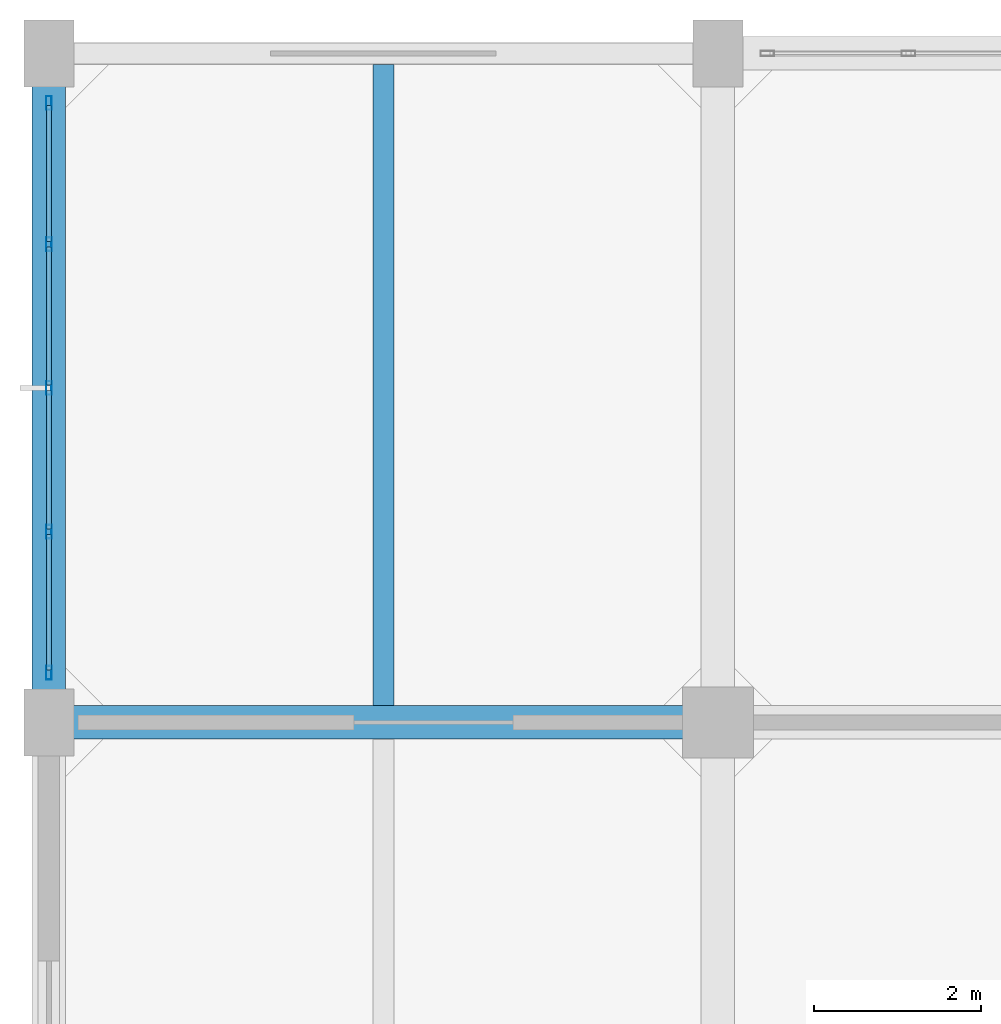
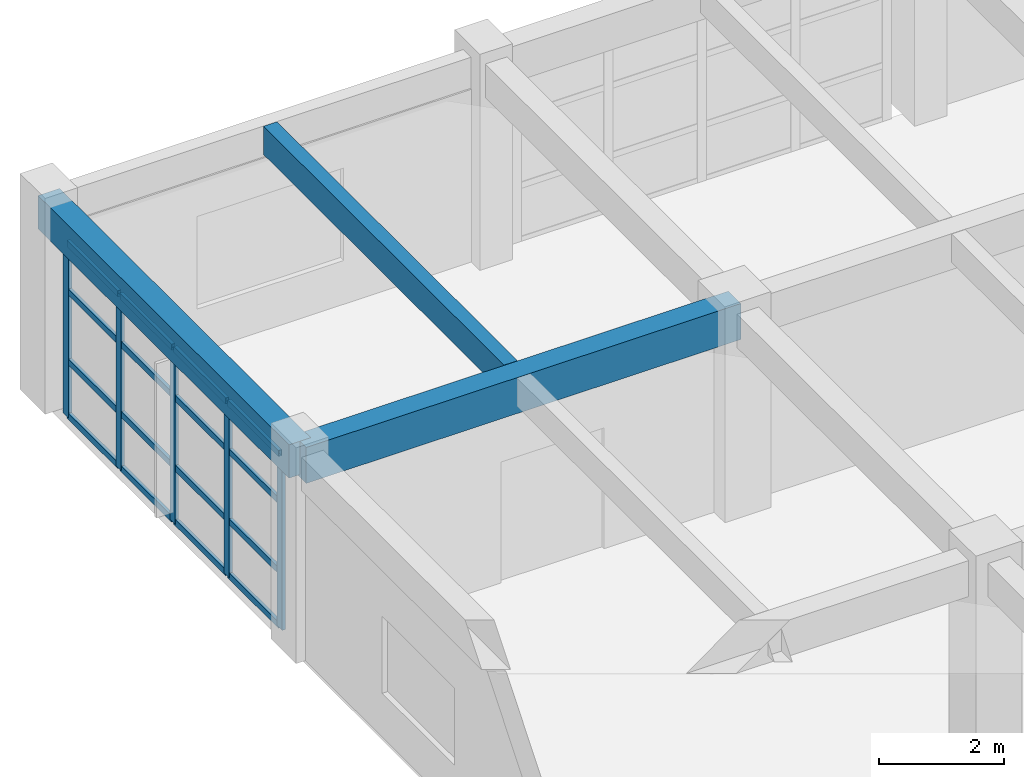
# One storey, part 13 of 27: 21 members, 3 beams, 1 element without a shape of its own.
"""IFC4 building model written with IfcOpenShell, lengths in metres."""

import ifcopenshell
import ifcopenshell.guid

model = None  # the IFC model being written
_history = None  # IfcOwnerHistory: only IFC2X3 demands one
_inside = {}  # id of a spatial element -> (the spatial element, [elements in it])
_under = {}  # id of a project, library or spatial element -> (it, [spatial elements below it])
_declared = {}  # id of a project -> (the project, [libraries it declares])
_typed = {}  # id of a type object -> (the type object, [elements of that type])
_made_of = {}  # id of a material, layer set ... -> (it, [elements and type objects made of it])


def new_model(schema):
    """Start an empty IFC model of exactly this schema.

    Asked for "IFC4X3", IfcOpenShell would pick the latest addendum, in which some entities
    have other attributes; the version numbers below select the first issue.
    IFC2X3 requires an IfcOwnerHistory on every rooted entity: one is made here for all.
    """
    global model, _history
    if schema == "IFC4X3":
        model = ifcopenshell.file(schema_version=(4, 3, 0, 0))
    else:
        model = ifcopenshell.file(schema=schema)
    _inside.clear()
    _under.clear()
    _declared.clear()
    _typed.clear()
    _made_of.clear()
    _history = None
    if model.schema == "IFC2X3":
        org = make("IfcOrganization", Name="unknown")
        user = make(
            "IfcPersonAndOrganization",
            ThePerson=make("IfcPerson", FamilyName="unknown"),
            TheOrganization=org,
        )
        app = make(
            "IfcApplication",
            ApplicationDeveloper=org,
            Version="unknown",
            ApplicationFullName="unknown",
            ApplicationIdentifier="unknown",
        )
        _history = make(
            "IfcOwnerHistory",
            OwningUser=user,
            OwningApplication=app,
            ChangeAction="ADDED",
            CreationDate=0,
        )
    return model


def make(cls, **values):
    """One entity of the class cls with the attributes given. An attribute that is None is left unset."""
    return model.create_entity(
        cls, **{name: value for name, value in values.items() if value is not None}
    )


def rooted(cls, **values):
    """An entity with a GlobalId (a new one), such as an element, a storey or a relation."""
    return make(cls, GlobalId=ifcopenshell.guid.new(), OwnerHistory=_history, **values)


def si_unit(unit_type, name, prefix=None):
    """IfcSIUnit, for example si_unit("LENGTHUNIT", "METRE", prefix="MILLI")."""
    return make("IfcSIUnit", UnitType=unit_type, Prefix=prefix, Name=name)


def assignment(units):
    """IfcUnitAssignment: the units of a project."""
    return None if units is None else make("IfcUnitAssignment", Units=units)


def point(xyz):
    """IfcCartesianPoint."""
    return None if xyz is None else make("IfcCartesianPoint", Coordinates=xyz)


def direction(xyz):
    """IfcDirection."""
    return None if xyz is None else make("IfcDirection", DirectionRatios=xyz)


def frame(location, z_axis=None, x_axis=None):
    """IfcAxis2Placement3D, a coordinate frame: its origin and axes. An axis left out is left unset."""
    return make(
        "IfcAxis2Placement3D",
        Location=point(location),
        Axis=direction(z_axis),
        RefDirection=direction(x_axis),
    )


def frame_2d(location, x_axis=None):
    """IfcAxis2Placement2D, a coordinate frame in the plane: its origin and x axis."""
    return make(
        "IfcAxis2Placement2D", Location=point(location), RefDirection=direction(x_axis)
    )


def origin():
    """The frame at (0, 0, 0) with its axes left unset."""
    return frame((0.0, 0.0, 0.0))


def origin_2d():
    """The frame at (0, 0) in the plane with its x axis left unset."""
    return frame_2d((0.0, 0.0))


def place(relative_to, where):
    """IfcLocalPlacement: puts the frame where relative to a parent placement (None: the world)."""
    return make(
        "IfcLocalPlacement", PlacementRelTo=relative_to, RelativePlacement=where
    )


def context(
    kind, dimensions, precision=None, world=None, true_north=None, identifier=None
):
    """IfcGeometricRepresentationContext, for example the 3D "Model" context."""
    return make(
        "IfcGeometricRepresentationContext",
        ContextIdentifier=identifier,
        ContextType=kind,
        CoordinateSpaceDimension=dimensions,
        Precision=precision,
        WorldCoordinateSystem=world,
        TrueNorth=true_north,
    )


def subcontext(parent, identifier, kind, view, scale=None):
    """IfcGeometricRepresentationSubContext, for example "Body" below "Model"."""
    return make(
        "IfcGeometricRepresentationSubContext",
        ContextIdentifier=identifier,
        ContextType=kind,
        ParentContext=parent,
        TargetScale=scale,
        TargetView=view,
    )


def project(units=None, contexts=None):
    """IfcProject with its units and contexts."""
    return rooted(
        "IfcProject",
        Name="project",
        RepresentationContexts=contexts,
        UnitsInContext=assignment(units),
    )


def spatial(cls, under=None, at=None, **own):
    """A site, building, storey or space (cls), placed at a placement, below another one or the project."""
    s = rooted(cls, ObjectPlacement=at, **own)
    if under is not None:
        _under.setdefault(under.id(), (under, []))[1].append(s)
    return s


def profile(cls, at=None, kind="AREA", **sizes):
    """A parametric profile (cls). Its sizes go by their IFC names, for example OverallWidth=200.0."""
    return make(cls, ProfileType=kind, Position=at, **sizes)


def rectangle(**sizes):
    """IfcRectangleProfileDef."""
    return profile("IfcRectangleProfileDef", **sizes)


def hollow_rectangle(**sizes):
    """IfcRectangleHollowProfileDef."""
    return profile("IfcRectangleHollowProfileDef", **sizes)


def extrude(swept, where, along, depth):
    """IfcExtrudedAreaSolid: the profile swept, set in the frame where, extruded along a direction by depth."""
    return make(
        "IfcExtrudedAreaSolid",
        SweptArea=swept,
        Position=where,
        ExtrudedDirection=direction(along),
        Depth=depth,
    )


def shape(context_of_items, identifier, shape_type, items):
    """IfcShapeRepresentation: the items that make up one representation, for example the "Body"."""
    return make(
        "IfcShapeRepresentation",
        ContextOfItems=context_of_items,
        RepresentationIdentifier=identifier,
        RepresentationType=shape_type,
        Items=items,
    )


def material(Name=None, Category=None):
    """IfcMaterial."""
    return make("IfcMaterial", Name=Name, Category=Category)


def layer(
    of_material, thickness, ventilated=None, Name=None, Category=None, Priority=None
):
    """IfcMaterialLayer: one layer of a wall or slab, of a material (None: an air gap)."""
    return make(
        "IfcMaterialLayer",
        Material=of_material,
        LayerThickness=thickness,
        IsVentilated=ventilated,
        Name=Name,
        Category=Category,
        Priority=Priority,
    )


def layer_set(layers, Name=None):
    """IfcMaterialLayerSet."""
    return make("IfcMaterialLayerSet", MaterialLayers=layers, LayerSetName=Name)


def material_profile(
    of_material, cross_section, Name=None, Category=None, Priority=None
):
    """IfcMaterialProfile: a cross section and its material."""
    return make(
        "IfcMaterialProfile",
        Name=Name,
        Material=of_material,
        Profile=cross_section,
        Priority=Priority,
        Category=Category,
    )


def profile_set(profiles, Name=None, composite=None):
    """IfcMaterialProfileSet."""
    return make(
        "IfcMaterialProfileSet",
        Name=Name,
        MaterialProfiles=profiles,
        CompositeProfile=composite,
    )


def made_of(thing, what):
    """Note that an element or type object is made of a material, layer set ...; save() writes the relation."""
    if what is not None:
        _made_of.setdefault(what.id(), (what, []))[1].append(thing)
    return thing


def type_object(cls, material=None, **own):
    """A type object (cls), such as IfcWallType, which elements share."""
    return made_of(rooted(cls, **own), material)


def element(
    cls,
    number,
    at=None,
    inside=None,
    cuts=None,
    type_object=None,
    material=None,
    context=None,
    identifier="Body",
    shape_type=None,
    held_by="IfcProductDefinitionShape",
    body=None,
    shapes=None,
    **own,
):
    """One element of the class cls, such as IfcWall. Its Tag is "e" and its number.

    at: its placement. inside: the storey or other place that contains it. cuts: it is an
    opening in that element (IfcRelVoidsElement). A single representation is given by context,
    identifier, shape_type and body (its items); several are given by shapes. held_by: the class
    of the entity that holds the representations. save() writes the other relations.
    """
    e = rooted(cls, Tag="e%d" % number, ObjectPlacement=at, **own)
    if body is not None:
        shapes = [shape(context, identifier, shape_type, body)]
    if shapes is not None:
        e.Representation = make(held_by, Representations=shapes)
    if inside is not None:
        _inside.setdefault(inside.id(), (inside, []))[1].append(e)
    if cuts is not None:
        rooted(
            "IfcRelVoidsElement", RelatingBuildingElement=cuts, RelatedOpeningElement=e
        )
    if type_object is not None:
        _typed.setdefault(type_object.id(), (type_object, []))[1].append(e)
    return made_of(e, material)


def aggregate(whole, parts):
    """IfcRelAggregates: a whole, such as a stair, and the parts it consists of."""
    return rooted("IfcRelAggregates", RelatingObject=whole, RelatedObjects=parts)


def save(model, path):
    """Write the relations noted so far, then the file.

    IfcRelAggregates (storeys below a building ...), IfcRelContainedInSpatialStructure (elements
    in a storey), IfcRelDefinesByType, IfcRelAssociatesMaterial and IfcRelDeclares: one each for
    every whole, place, type object, material and project.
    """
    for whole, parts in _under.values():
        aggregate(whole, parts)
    for where, things in _inside.values():
        rooted(
            "IfcRelContainedInSpatialStructure",
            RelatedElements=things,
            RelatingStructure=where,
        )
    for kind, things in _typed.values():
        rooted("IfcRelDefinesByType", RelatedObjects=things, RelatingType=kind)
    for what, things in _made_of.values():
        rooted("IfcRelAssociatesMaterial", RelatedObjects=things, RelatingMaterial=what)
    for by, libraries in _declared.values():
        rooted("IfcRelDeclares", RelatingContext=by, RelatedDefinitions=libraries)
    model.write(path)


model = new_model("IFC4")

# Units and contexts
model_context = context("Model", 3, precision=1e-05, world=origin(), true_north=direction((0.0, 1.0)))
body_context = subcontext(model_context, "Body", "Model", "MODEL_VIEW")
ifc_project = project(units=[si_unit("LENGTHUNIT", "METRE"), si_unit("AREAUNIT", "SQUARE_METRE"), si_unit("VOLUMEUNIT", "CUBIC_METRE"), si_unit("PLANEANGLEUNIT", "RADIAN"), si_unit("MASSUNIT", "GRAM", prefix="KILO")], contexts=[model_context])

# Site, building, storey
site_placement = place(None, origin())
site = spatial("IfcSite", under=ifc_project, at=site_placement, CompositionType="ELEMENT")
building_placement = place(site_placement, origin())
building = spatial("IfcBuilding", under=site, at=building_placement, Name="Canggui Botanical Conservatory", CompositionType="ELEMENT")
storey_placement = place(building_placement, frame((0.0, 0.0, 31.800048828125)))
storey = spatial("IfcBuildingStorey", under=building, at=storey_placement, Name="L08", CompositionType="ELEMENT", Elevation=31.800048828125)

# Beams
ifc_material_1 = material(Name="Concrete C35", Category="concrete")
ifc_material_profile_1 = material_profile(ifc_material_1, rectangle(XDim=0.25, YDim=0.550048828125, at=origin_2d()), Name="RB 250x550")
ifc_profile_set_1 = profile_set([ifc_material_profile_1], Name="Concrete C35")
beam_type_1 = type_object("IfcBeamType", Name="BM-JST03", PredefinedType="JOIST", material=ifc_profile_set_1)
beam_1_placement = place(storey_placement, frame((142.0, 66.205078125, 3.704833984375), z_axis=(0.0, 1.0, 0.0), x_axis=(-1.0, 0.0, 0.0)))
element("IfcBeam", 1, at=beam_1_placement, inside=storey, type_object=beam_type_1, Name="Secondary Floor Joist L08-1-5", PredefinedType="JOIST", context=body_context, shape_type="SweptSolid", body=[
    extrude(rectangle(XDim=0.25, YDim=0.550048828125, at=origin_2d()), origin(), (0.0, 0.0, 1.0), 7.6650390625),
])
ifc_material_profile_2 = material_profile(ifc_material_1, rectangle(XDim=0.39990234375, YDim=0.699951171875, at=origin_2d()), Name="RB 400x700")
ifc_profile_set_2 = profile_set([ifc_material_profile_2], Name="Concrete C35")
beam_type_2 = type_object("IfcBeamType", Name="BM-KL11", PredefinedType="BEAM", material=ifc_profile_set_2)
beam_2_placement = place(storey_placement, frame((138.0, 66.0, 3.6298828125), z_axis=(1.0, 0.0, 0.0), x_axis=(0.0, 1.0, 0.0)))
element("IfcBeam", 2, at=beam_2_placement, inside=storey, type_object=beam_type_2, Name="Frame Girder L08 Y66-1", PredefinedType="BEAM", context=body_context, shape_type="SweptSolid", body=[
    extrude(rectangle(XDim=0.39990234375, YDim=0.699951171875, at=origin_2d()), origin(), (0.0, 0.0, 1.0), 8.0),
])
ifc_material_profile_3 = material_profile(ifc_material_1, rectangle(XDim=0.39990234375, YDim=0.64990234375, at=origin_2d()), Name="RB 400x650")
ifc_profile_set_3 = profile_set([ifc_material_profile_3], Name="Concrete C35")
beam_type_3 = type_object("IfcBeamType", Name="BM-KL12", PredefinedType="BEAM", material=ifc_profile_set_3)
beam_3_placement = place(storey_placement, frame((138.0, 66.0, 3.655029296875), z_axis=(0.0, 1.0, 0.0), x_axis=(-1.0, 0.0, 0.0)))
element("IfcBeam", 3, at=beam_3_placement, inside=storey, type_object=beam_type_3, Name="Frame Girder L08 X138-5", PredefinedType="BEAM", context=body_context, shape_type="SweptSolid", body=[
    extrude(rectangle(XDim=0.39990234375, YDim=0.64990234375, at=origin_2d()), origin(), (0.0, 0.0, 1.0), 8.0),
])

# Curtain wall, members
ifc_material_2 = material(Name="Thermally Broken Aluminium", Category="aluminium")
ifc_layer = layer(ifc_material_2, 0.1650390625, Name="Thermally Broken Aluminium", Category="aluminium")
ifc_layer_set = layer_set([ifc_layer], Name="Thermally Broken Aluminium")
curtain_wall_type = type_object("IfcCurtainWallType", Name="CW-UNIT-B", PredefinedType="USERDEFINED", material=ifc_layer_set)
curtain_wall_placement = place(storey_placement, origin())
curtain_wall = element("IfcCurtainWall", 4, at=curtain_wall_placement, inside=storey, type_object=curtain_wall_type, Name="Facade Curtain Wall CW-TWR-L08-10", ObjectType="UNITISED CURTAIN WALL", PredefinedType="USERDEFINED")
ifc_material_profile_4 = material_profile(ifc_material_2, hollow_rectangle(XDim=0.06494140625, YDim=0.1650390625, WallThickness=0.00390625, at=origin_2d()), Name="CWM 65x165x4")
ifc_profile_set_4 = profile_set([ifc_material_profile_4], Name="Thermally Broken Aluminium")
member_type_1 = type_object("IfcMemberType", Name="CWM-02", PredefinedType="MULLION", material=ifc_profile_set_4)
member_1_placement = place(storey_placement, frame((138.0, 66.592529296875, 0.0), z_axis=(0.0, 0.0, 1.0), x_axis=(-1.0, 0.0, 0.0)))
member_1 = element("IfcMember", 5, at=member_1_placement, type_object=member_type_1, Name="CW-02 mullion 1", PredefinedType="MULLION", context=body_context, shape_type="SweptSolid", body=[
    extrude(hollow_rectangle(XDim=0.06494140625, YDim=0.1650390625, WallThickness=0.00390625, at=origin_2d()), origin(), (0.0, 0.0, 1.0), 3.39990234375),
])
member_2_placement = place(storey_placement, frame((138.0, 68.280029296875, 0.0), z_axis=(0.0, 0.0, 1.0), x_axis=(-1.0, 0.0, 0.0)))
member_2 = element("IfcMember", 6, at=member_2_placement, type_object=member_type_1, Name="CW-02 mullion 2", PredefinedType="MULLION", context=body_context, shape_type="SweptSolid", body=[
    extrude(hollow_rectangle(XDim=0.06494140625, YDim=0.1650390625, WallThickness=0.00390625, at=origin_2d()), origin(), (0.0, 0.0, 1.0), 3.39990234375),
])
member_3_placement = place(storey_placement, frame((138.0, 70.0, 0.0), z_axis=(0.0, 0.0, 1.0), x_axis=(-1.0, 0.0, 0.0)))
member_3 = element("IfcMember", 7, at=member_3_placement, type_object=member_type_1, Name="CW-02 mullion 3", PredefinedType="MULLION", context=body_context, shape_type="SweptSolid", body=[
    extrude(hollow_rectangle(XDim=0.06494140625, YDim=0.1650390625, WallThickness=0.00390625, at=origin_2d()), origin(), (0.0, 0.0, 1.0), 3.39990234375),
])
member_4_placement = place(storey_placement, frame((138.0, 71.719970703125, 0.0), z_axis=(0.0, 0.0, 1.0), x_axis=(-1.0, 0.0, 0.0)))
member_4 = element("IfcMember", 8, at=member_4_placement, type_object=member_type_1, Name="CW-02 mullion 4", PredefinedType="MULLION", context=body_context, shape_type="SweptSolid", body=[
    extrude(hollow_rectangle(XDim=0.06494140625, YDim=0.1650390625, WallThickness=0.00390625, at=origin_2d()), origin(), (0.0, 0.0, 1.0), 3.39990234375),
])
member_5_placement = place(storey_placement, frame((138.0, 73.407470703125, 0.0), z_axis=(0.0, 0.0, 1.0), x_axis=(-1.0, 0.0, 0.0)))
member_5 = element("IfcMember", 9, at=member_5_placement, type_object=member_type_1, Name="CW-02 mullion 5", PredefinedType="MULLION", context=body_context, shape_type="SweptSolid", body=[
    extrude(hollow_rectangle(XDim=0.06494140625, YDim=0.1650390625, WallThickness=0.00390625, at=origin_2d()), origin(), (0.0, 0.0, 1.0), 3.39990234375),
])
ifc_material_profile_5 = material_profile(ifc_material_2, hollow_rectangle(XDim=0.06005859375, YDim=0.1201171875, WallThickness=0.00341796875, at=origin_2d()), Name="CWT 60x120x3.5")
ifc_profile_set_5 = profile_set([ifc_material_profile_5], Name="Thermally Broken Aluminium")
member_type_2 = type_object("IfcMemberType", Name="CWT-02", PredefinedType="USERDEFINED", material=ifc_profile_set_5)
member_6_placement = place(storey_placement, frame((138.0, 66.625, 0.030029296875), z_axis=(0.0, 1.0, 0.0), x_axis=(-1.0, 0.0, 0.0)))
member_6 = element("IfcMember", 10, at=member_6_placement, type_object=member_type_2, Name="CW-02 transom 1.1", ObjectType="TRANSOM", PredefinedType="USERDEFINED", context=body_context, shape_type="SweptSolid", body=[
    extrude(hollow_rectangle(XDim=0.06005859375, YDim=0.1201171875, WallThickness=0.00341796875, at=origin_2d()), origin(), (0.0, 0.0, 1.0), 1.62255859375),
])
member_7_placement = place(storey_placement, frame((138.0, 66.625, 1.087890625), z_axis=(0.0, 1.0, 0.0), x_axis=(-1.0, 0.0, 0.0)))
member_7 = element("IfcMember", 11, at=member_7_placement, type_object=member_type_2, Name="CW-02 transom 1.2", ObjectType="TRANSOM", PredefinedType="USERDEFINED", context=body_context, shape_type="SweptSolid", body=[
    extrude(hollow_rectangle(XDim=0.06005859375, YDim=0.1201171875, WallThickness=0.00341796875, at=origin_2d()), origin(), (0.0, 0.0, 1.0), 1.62255859375),
])
member_8_placement = place(storey_placement, frame((138.0, 66.625, 2.447998046875), z_axis=(0.0, 1.0, 0.0), x_axis=(-1.0, 0.0, 0.0)))
member_8 = element("IfcMember", 12, at=member_8_placement, type_object=member_type_2, Name="CW-02 transom 1.3", ObjectType="TRANSOM", PredefinedType="USERDEFINED", context=body_context, shape_type="SweptSolid", body=[
    extrude(hollow_rectangle(XDim=0.06005859375, YDim=0.1201171875, WallThickness=0.00341796875, at=origin_2d()), origin(), (0.0, 0.0, 1.0), 1.62255859375),
])
member_9_placement = place(storey_placement, frame((138.0, 66.625, 3.369873046875), z_axis=(0.0, 1.0, 0.0), x_axis=(-1.0, 0.0, 0.0)))
member_9 = element("IfcMember", 13, at=member_9_placement, type_object=member_type_2, Name="CW-02 transom 1.4", ObjectType="TRANSOM", PredefinedType="USERDEFINED", context=body_context, shape_type="SweptSolid", body=[
    extrude(hollow_rectangle(XDim=0.06005859375, YDim=0.1201171875, WallThickness=0.00341796875, at=origin_2d()), origin(), (0.0, 0.0, 1.0), 1.62255859375),
])
member_10_placement = place(storey_placement, frame((138.0, 68.3125, 0.030029296875), z_axis=(0.0, 1.0, 0.0), x_axis=(-1.0, 0.0, 0.0)))
member_10 = element("IfcMember", 14, at=member_10_placement, type_object=member_type_2, Name="CW-02 transom 2.1", ObjectType="TRANSOM", PredefinedType="USERDEFINED", context=body_context, shape_type="SweptSolid", body=[
    extrude(hollow_rectangle(XDim=0.06005859375, YDim=0.1201171875, WallThickness=0.00341796875, at=origin_2d()), origin(), (0.0, 0.0, 1.0), 1.655029296875),
])
member_11_placement = place(storey_placement, frame((138.0, 68.3125, 1.087890625), z_axis=(0.0, 1.0, 0.0), x_axis=(-1.0, 0.0, 0.0)))
member_11 = element("IfcMember", 15, at=member_11_placement, type_object=member_type_2, Name="CW-02 transom 2.2", ObjectType="TRANSOM", PredefinedType="USERDEFINED", context=body_context, shape_type="SweptSolid", body=[
    extrude(hollow_rectangle(XDim=0.06005859375, YDim=0.1201171875, WallThickness=0.00341796875, at=origin_2d()), origin(), (0.0, 0.0, 1.0), 1.655029296875),
])
member_12_placement = place(storey_placement, frame((138.0, 68.3125, 2.447998046875), z_axis=(0.0, 1.0, 0.0), x_axis=(-1.0, 0.0, 0.0)))
member_12 = element("IfcMember", 16, at=member_12_placement, type_object=member_type_2, Name="CW-02 transom 2.3", ObjectType="TRANSOM", PredefinedType="USERDEFINED", context=body_context, shape_type="SweptSolid", body=[
    extrude(hollow_rectangle(XDim=0.06005859375, YDim=0.1201171875, WallThickness=0.00341796875, at=origin_2d()), origin(), (0.0, 0.0, 1.0), 1.655029296875),
])
member_13_placement = place(storey_placement, frame((138.0, 68.3125, 3.369873046875), z_axis=(0.0, 1.0, 0.0), x_axis=(-1.0, 0.0, 0.0)))
member_13 = element("IfcMember", 17, at=member_13_placement, type_object=member_type_2, Name="CW-02 transom 2.4", ObjectType="TRANSOM", PredefinedType="USERDEFINED", context=body_context, shape_type="SweptSolid", body=[
    extrude(hollow_rectangle(XDim=0.06005859375, YDim=0.1201171875, WallThickness=0.00341796875, at=origin_2d()), origin(), (0.0, 0.0, 1.0), 1.655029296875),
])
member_14_placement = place(storey_placement, frame((138.0, 70.032470703125, 0.030029296875), z_axis=(0.0, 1.0, 0.0), x_axis=(-1.0, 0.0, 0.0)))
member_14 = element("IfcMember", 18, at=member_14_placement, type_object=member_type_2, Name="CW-02 transom 3.1", ObjectType="TRANSOM", PredefinedType="USERDEFINED", context=body_context, shape_type="SweptSolid", body=[
    extrude(hollow_rectangle(XDim=0.06005859375, YDim=0.1201171875, WallThickness=0.00341796875, at=origin_2d()), origin(), (0.0, 0.0, 1.0), 1.655029296875),
])
member_15_placement = place(storey_placement, frame((138.0, 70.032470703125, 1.087890625), z_axis=(0.0, 1.0, 0.0), x_axis=(-1.0, 0.0, 0.0)))
member_15 = element("IfcMember", 19, at=member_15_placement, type_object=member_type_2, Name="CW-02 transom 3.2", ObjectType="TRANSOM", PredefinedType="USERDEFINED", context=body_context, shape_type="SweptSolid", body=[
    extrude(hollow_rectangle(XDim=0.06005859375, YDim=0.1201171875, WallThickness=0.00341796875, at=origin_2d()), origin(), (0.0, 0.0, 1.0), 1.655029296875),
])
member_16_placement = place(storey_placement, frame((138.0, 70.032470703125, 2.447998046875), z_axis=(0.0, 1.0, 0.0), x_axis=(-1.0, 0.0, 0.0)))
member_16 = element("IfcMember", 20, at=member_16_placement, type_object=member_type_2, Name="CW-02 transom 3.3", ObjectType="TRANSOM", PredefinedType="USERDEFINED", context=body_context, shape_type="SweptSolid", body=[
    extrude(hollow_rectangle(XDim=0.06005859375, YDim=0.1201171875, WallThickness=0.00341796875, at=origin_2d()), origin(), (0.0, 0.0, 1.0), 1.655029296875),
])
member_17_placement = place(storey_placement, frame((138.0, 70.032470703125, 3.369873046875), z_axis=(0.0, 1.0, 0.0), x_axis=(-1.0, 0.0, 0.0)))
member_17 = element("IfcMember", 21, at=member_17_placement, type_object=member_type_2, Name="CW-02 transom 3.4", ObjectType="TRANSOM", PredefinedType="USERDEFINED", context=body_context, shape_type="SweptSolid", body=[
    extrude(hollow_rectangle(XDim=0.06005859375, YDim=0.1201171875, WallThickness=0.00341796875, at=origin_2d()), origin(), (0.0, 0.0, 1.0), 1.655029296875),
])
member_18_placement = place(storey_placement, frame((138.0, 71.75244140625, 0.030029296875), z_axis=(0.0, 1.0, 0.0), x_axis=(-1.0, 0.0, 0.0)))
member_18 = element("IfcMember", 22, at=member_18_placement, type_object=member_type_2, Name="CW-02 transom 4.1", ObjectType="TRANSOM", PredefinedType="USERDEFINED", context=body_context, shape_type="SweptSolid", body=[
    extrude(hollow_rectangle(XDim=0.06005859375, YDim=0.1201171875, WallThickness=0.00341796875, at=origin_2d()), origin(), (0.0, 0.0, 1.0), 1.62255859375),
])
member_19_placement = place(storey_placement, frame((138.0, 71.75244140625, 1.087890625), z_axis=(0.0, 1.0, 0.0), x_axis=(-1.0, 0.0, 0.0)))
member_19 = element("IfcMember", 23, at=member_19_placement, type_object=member_type_2, Name="CW-02 transom 4.2", ObjectType="TRANSOM", PredefinedType="USERDEFINED", context=body_context, shape_type="SweptSolid", body=[
    extrude(hollow_rectangle(XDim=0.06005859375, YDim=0.1201171875, WallThickness=0.00341796875, at=origin_2d()), origin(), (0.0, 0.0, 1.0), 1.62255859375),
])
member_20_placement = place(storey_placement, frame((138.0, 71.75244140625, 2.447998046875), z_axis=(0.0, 1.0, 0.0), x_axis=(-1.0, 0.0, 0.0)))
member_20 = element("IfcMember", 24, at=member_20_placement, type_object=member_type_2, Name="CW-02 transom 4.3", ObjectType="TRANSOM", PredefinedType="USERDEFINED", context=body_context, shape_type="SweptSolid", body=[
    extrude(hollow_rectangle(XDim=0.06005859375, YDim=0.1201171875, WallThickness=0.00341796875, at=origin_2d()), origin(), (0.0, 0.0, 1.0), 1.62255859375),
])
member_21_placement = place(storey_placement, frame((138.0, 71.75244140625, 3.369873046875), z_axis=(0.0, 1.0, 0.0), x_axis=(-1.0, 0.0, 0.0)))
member_21 = element("IfcMember", 25, at=member_21_placement, type_object=member_type_2, Name="CW-02 transom 4.4", ObjectType="TRANSOM", PredefinedType="USERDEFINED", context=body_context, shape_type="SweptSolid", body=[
    extrude(hollow_rectangle(XDim=0.06005859375, YDim=0.1201171875, WallThickness=0.00341796875, at=origin_2d()), origin(), (0.0, 0.0, 1.0), 1.62255859375),
])
aggregate(curtain_wall, [member_1, member_2, member_3, member_4, member_5, member_6, member_7, member_8, member_9, member_10, member_11, member_12, member_13, member_14, member_15, member_16, member_17, member_18, member_19, member_20, member_21])

save(model, "model.ifc")
